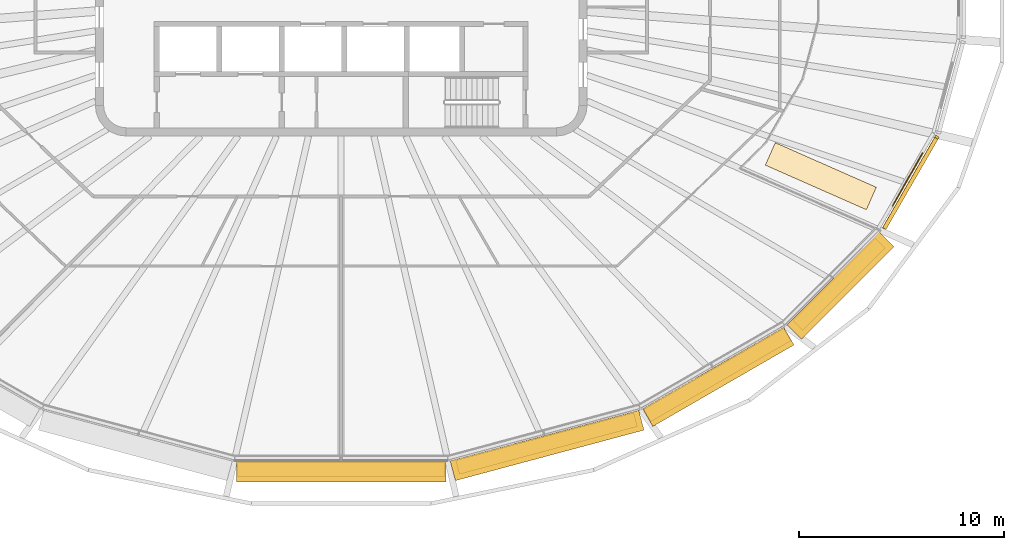
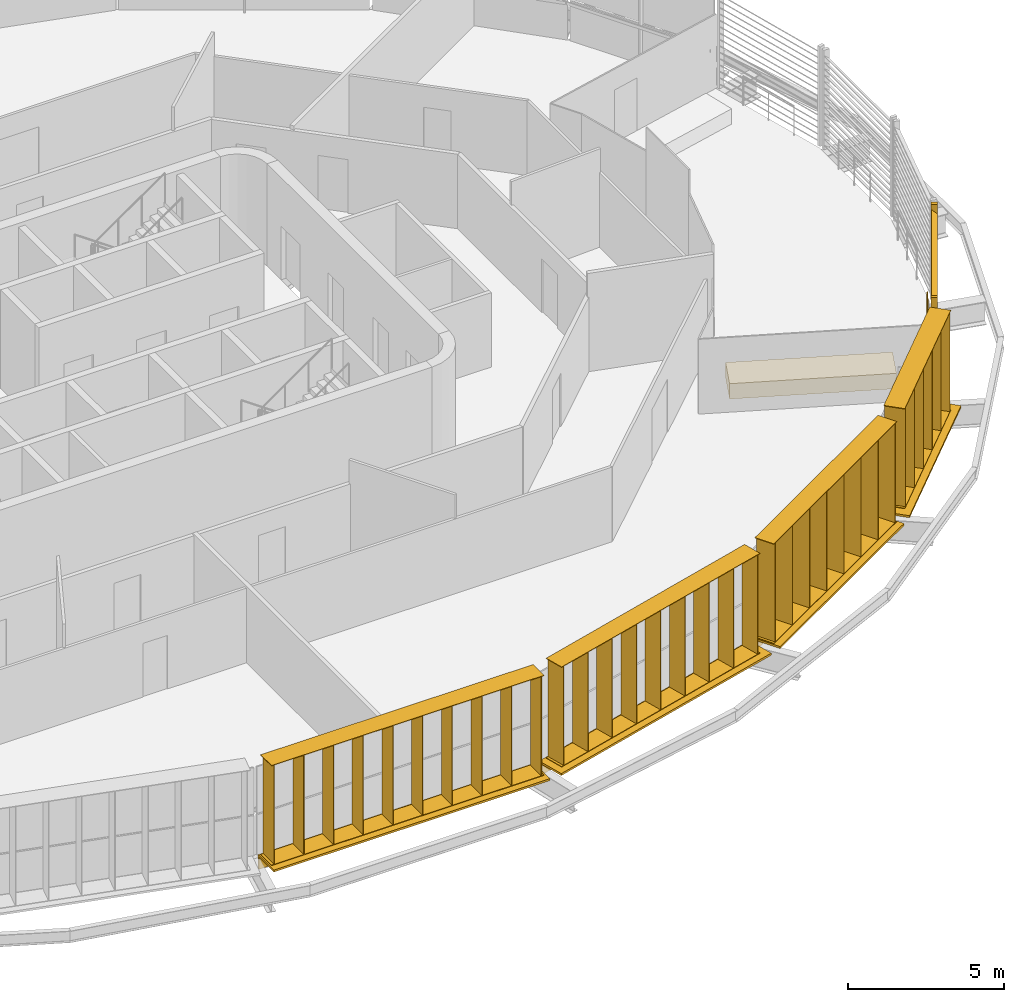
# One storey, part 18 of 21: 9 shading devices, 1 covering, 1 railing.
"""IFC4 building model written with IfcOpenShell, lengths in metres."""

from ifc_helpers import new_model, si_unit, direction, frame, origin, origin_2d, place, context, subcontext, project, spatial, rectangle, circle, extrude, material, type_object, element, save


model = new_model("IFC4")

# Units and contexts
model_context = context("Model", 3, precision=1e-05, world=origin(), true_north=direction((0.0, 1.0)))
body_context = subcontext(model_context, "Body", "Model", "MODEL_VIEW")
ifc_project = project(units=[si_unit("LENGTHUNIT", "METRE"), si_unit("AREAUNIT", "SQUARE_METRE"), si_unit("VOLUMEUNIT", "CUBIC_METRE"), si_unit("PLANEANGLEUNIT", "RADIAN"), si_unit("MASSUNIT", "GRAM", prefix="KILO")], contexts=[model_context])

# Site, building, storey
site_placement = place(None, origin())
site = spatial("IfcSite", under=ifc_project, at=site_placement, CompositionType="ELEMENT")
building_placement = place(site_placement, origin())
building = spatial("IfcBuilding", under=site, at=building_placement, Name="Sahrelin Media Tower", CompositionType="ELEMENT")
storey_placement = place(building_placement, frame((0.0, 0.0, 259.0)))
storey = spatial("IfcBuildingStorey", under=building, at=storey_placement, Name="L56", CompositionType="ELEMENT", Elevation=259.0)

# Shading devices
ifc_material_1 = material(Name="Champagne anodised aluminium 6063-T6", Category="aluminium")
shading_device_type_1 = type_object("IfcShadingDeviceType", Name="Fin cassette", PredefinedType="USERDEFINED", material=ifc_material_1)
placement_1 = place(storey_placement, frame((0.0, -22.857421875, 0.0), z_axis=(0.0, 0.0, 1.0), x_axis=(-1.0, 0.0, 0.0)))
element("IfcShadingDevice", 1, at=placement_1, inside=storey, type_object=shading_device_type_1, Name="L56:FIN:L56-18", ObjectType="FIN", PredefinedType="USERDEFINED", context=body_context, shape_type="SweptSolid", body=[
    extrude(rectangle(XDim=10.10009765625, YDim=0.699951171875, at=origin_2d()), frame((0.0, 0.419921875, 0.0)), (0.0, 0.0, 1.0), 0.02001953125),
    extrude(rectangle(XDim=10.10009765625, YDim=0.699951171875, at=origin_2d()), frame((0.0, 0.419921875, 3.89990234375)), (0.0, 0.0, 1.0), 0.02001953125),
    extrude(rectangle(XDim=0.02001953125, YDim=0.699951171875, at=origin_2d()), frame((-4.949951171875, 0.419921875, 0.010009765625), z_axis=(0.0, 0.0, 1.0), x_axis=(1.0, 0.0, 0.0)), (0.0, 0.0, 1.0), 3.89990234375),
    extrude(rectangle(XDim=0.02001953125, YDim=0.699951171875, at=origin_2d()), frame((-3.85009765625, 0.419921875, 0.010009765625), z_axis=(0.0, 0.0, 1.0), x_axis=(1.0, 0.0, 0.0)), (0.0, 0.0, 1.0), 3.89990234375),
    extrude(rectangle(XDim=0.02001953125, YDim=0.699951171875, at=origin_2d()), frame((-2.75, 0.419921875, 0.010009765625), z_axis=(0.0, 0.0, 1.0), x_axis=(1.0, 0.0, 0.0)), (0.0, 0.0, 1.0), 3.89990234375),
    extrude(rectangle(XDim=0.02001953125, YDim=0.699951171875, at=origin_2d()), frame((-1.64990234375, 0.419921875, 0.010009765625), z_axis=(0.0, 0.0, 1.0), x_axis=(1.0, 0.0, 0.0)), (0.0, 0.0, 1.0), 3.89990234375),
    extrude(rectangle(XDim=0.02001953125, YDim=0.699951171875, at=origin_2d()), frame((-0.550048828125, 0.419921875, 0.010009765625), z_axis=(0.0, 0.0, 1.0), x_axis=(1.0, 0.0, 0.0)), (0.0, 0.0, 1.0), 3.89990234375),
    extrude(rectangle(XDim=0.02001953125, YDim=0.699951171875, at=origin_2d()), frame((0.550048828125, 0.419921875, 0.010009765625), z_axis=(0.0, 0.0, 1.0), x_axis=(1.0, 0.0, 0.0)), (0.0, 0.0, 1.0), 3.89990234375),
    extrude(rectangle(XDim=0.02001953125, YDim=0.699951171875, at=origin_2d()), frame((1.64990234375, 0.419921875, 0.010009765625), z_axis=(0.0, 0.0, 1.0), x_axis=(1.0, 0.0, 0.0)), (0.0, 0.0, 1.0), 3.89990234375),
    extrude(rectangle(XDim=0.02001953125, YDim=0.699951171875, at=origin_2d()), frame((2.75, 0.419921875, 0.010009765625), z_axis=(0.0, 0.0, 1.0), x_axis=(1.0, 0.0, 0.0)), (0.0, 0.0, 1.0), 3.89990234375),
    extrude(rectangle(XDim=0.02001953125, YDim=0.699951171875, at=origin_2d()), frame((3.85009765625, 0.419921875, 0.010009765625), z_axis=(0.0, 0.0, 1.0), x_axis=(1.0, 0.0, 0.0)), (0.0, 0.0, 1.0), 3.89990234375),
    extrude(rectangle(XDim=0.02001953125, YDim=0.699951171875, at=origin_2d()), frame((4.949951171875, 0.419921875, 0.010009765625), z_axis=(0.0, 0.0, 1.0), x_axis=(1.0, 0.0, 0.0)), (0.0, 0.0, 1.0), 3.89990234375),
])
placement_2 = place(storey_placement, frame((9.912109375, -21.598388671875, 0.0), z_axis=(0.0, 0.0, 1.0), x_axis=(-0.965928857556, -0.258807731996, 0.0)))
element("IfcShadingDevice", 2, at=placement_2, inside=storey, type_object=shading_device_type_1, Name="L56:FIN:L56-19", ObjectType="FIN", PredefinedType="USERDEFINED", context=body_context, shape_type="SweptSolid", body=[
    extrude(rectangle(XDim=9.0, YDim=0.699951171875, at=origin_2d()), frame((0.0, 0.419921875, 0.0)), (0.0, 0.0, 1.0), 0.02001953125),
    extrude(rectangle(XDim=9.0, YDim=0.699951171875, at=origin_2d()), frame((0.0, 0.419921875, 3.89990234375)), (0.0, 0.0, 1.0), 0.02001953125),
    extrude(rectangle(XDim=0.02001953125, YDim=0.699951171875, at=origin_2d()), frame((-4.39990234375, 0.419921875, 0.010009765625), z_axis=(0.0, 0.0, 1.0), x_axis=(1.0, 0.0, 0.0)), (0.0, 0.0, 1.0), 3.89990234375),
    extrude(rectangle(XDim=0.02001953125, YDim=0.699951171875, at=origin_2d()), frame((-3.300048828125, 0.419921875, 0.010009765625), z_axis=(0.0, 0.0, 1.0), x_axis=(1.0, 0.0, 0.0)), (0.0, 0.0, 1.0), 3.89990234375),
    extrude(rectangle(XDim=0.02001953125, YDim=0.699951171875, at=origin_2d()), frame((-2.199951171875, 0.419921875, 0.010009765625), z_axis=(0.0, 0.0, 1.0), x_axis=(1.0, 0.0, 0.0)), (0.0, 0.0, 1.0), 3.89990234375),
    extrude(rectangle(XDim=0.02001953125, YDim=0.699951171875, at=origin_2d()), frame((-1.10009765625, 0.419921875, 0.010009765625), z_axis=(0.0, 0.0, 1.0), x_axis=(1.0, 0.0, 0.0)), (0.0, 0.0, 1.0), 3.89990234375),
    extrude(rectangle(XDim=0.02001953125, YDim=0.699951171875, at=origin_2d()), frame((0.0, 0.419921875, 0.010009765625), z_axis=(0.0, 0.0, 1.0), x_axis=(1.0, 0.0, 0.0)), (0.0, 0.0, 1.0), 3.89990234375),
    extrude(rectangle(XDim=0.02001953125, YDim=0.699951171875, at=origin_2d()), frame((1.10009765625, 0.419921875, 0.010009765625), z_axis=(0.0, 0.0, 1.0), x_axis=(1.0, 0.0, 0.0)), (0.0, 0.0, 1.0), 3.89990234375),
    extrude(rectangle(XDim=0.02001953125, YDim=0.699951171875, at=origin_2d()), frame((2.199951171875, 0.419921875, 0.010009765625), z_axis=(0.0, 0.0, 1.0), x_axis=(1.0, 0.0, 0.0)), (0.0, 0.0, 1.0), 3.89990234375),
    extrude(rectangle(XDim=0.02001953125, YDim=0.699951171875, at=origin_2d()), frame((3.300048828125, 0.419921875, 0.010009765625), z_axis=(0.0, 0.0, 1.0), x_axis=(1.0, 0.0, 0.0)), (0.0, 0.0, 1.0), 3.89990234375),
    extrude(rectangle(XDim=0.02001953125, YDim=0.699951171875, at=origin_2d()), frame((4.39990234375, 0.419921875, 0.010009765625), z_axis=(0.0, 0.0, 1.0), x_axis=(1.0, 0.0, 0.0)), (0.0, 0.0, 1.0), 3.89990234375),
])
placement_3 = place(storey_placement, frame((18.14208984375, -18.300537109375, 0.0), z_axis=(0.0, 0.0, 1.0), x_axis=(-0.866019052629, -0.500011000363, 0.0)))
element("IfcShadingDevice", 3, at=placement_3, inside=storey, type_object=shading_device_type_1, Name="L56:FIN:L56-20", ObjectType="FIN", PredefinedType="USERDEFINED", context=body_context, shape_type="SweptSolid", body=[
    extrude(rectangle(XDim=7.89990234375, YDim=0.699951171875, at=origin_2d()), frame((0.0, 0.419921875, 0.0)), (0.0, 0.0, 1.0), 0.02001953125),
    extrude(rectangle(XDim=7.89990234375, YDim=0.699951171875, at=origin_2d()), frame((0.0, 0.419921875, 3.89990234375)), (0.0, 0.0, 1.0), 0.02001953125),
    extrude(rectangle(XDim=0.02001953125, YDim=0.699951171875, at=origin_2d()), frame((-3.85009765625, 0.419921875, 0.010009765625), z_axis=(0.0, 0.0, 1.0), x_axis=(1.0, 0.0, 0.0)), (0.0, 0.0, 1.0), 3.89990234375),
    extrude(rectangle(XDim=0.02001953125, YDim=0.699951171875, at=origin_2d()), frame((-2.75, 0.419921875, 0.010009765625), z_axis=(0.0, 0.0, 1.0), x_axis=(1.0, 0.0, 0.0)), (0.0, 0.0, 1.0), 3.89990234375),
    extrude(rectangle(XDim=0.02001953125, YDim=0.699951171875, at=origin_2d()), frame((-1.64990234375, 0.419921875, 0.010009765625), z_axis=(0.0, 0.0, 1.0), x_axis=(1.0, 0.0, 0.0)), (0.0, 0.0, 1.0), 3.89990234375),
    extrude(rectangle(XDim=0.02001953125, YDim=0.699951171875, at=origin_2d()), frame((-0.550048828125, 0.419921875, 0.010009765625), z_axis=(0.0, 0.0, 1.0), x_axis=(1.0, 0.0, 0.0)), (0.0, 0.0, 1.0), 3.89990234375),
    extrude(rectangle(XDim=0.02001953125, YDim=0.699951171875, at=origin_2d()), frame((0.550048828125, 0.419921875, 0.010009765625), z_axis=(0.0, 0.0, 1.0), x_axis=(1.0, 0.0, 0.0)), (0.0, 0.0, 1.0), 3.89990234375),
    extrude(rectangle(XDim=0.02001953125, YDim=0.699951171875, at=origin_2d()), frame((1.64990234375, 0.419921875, 0.010009765625), z_axis=(0.0, 0.0, 1.0), x_axis=(1.0, 0.0, 0.0)), (0.0, 0.0, 1.0), 3.89990234375),
    extrude(rectangle(XDim=0.02001953125, YDim=0.699951171875, at=origin_2d()), frame((2.75, 0.419921875, 0.010009765625), z_axis=(0.0, 0.0, 1.0), x_axis=(1.0, 0.0, 0.0)), (0.0, 0.0, 1.0), 3.89990234375),
    extrude(rectangle(XDim=0.02001953125, YDim=0.699951171875, at=origin_2d()), frame((3.85009765625, 0.419921875, 0.010009765625), z_axis=(0.0, 0.0, 1.0), x_axis=(1.0, 0.0, 0.0)), (0.0, 0.0, 1.0), 3.89990234375),
])
placement_4 = place(storey_placement, frame((23.997314453125, -13.9375, 0.0), z_axis=(0.0, 0.0, 1.0), x_axis=(-0.707106781187, -0.707106781187, 0.0)))
element("IfcShadingDevice", 4, at=placement_4, inside=storey, type_object=shading_device_type_1, Name="L56:FIN:L56-21", ObjectType="FIN", PredefinedType="USERDEFINED", context=body_context, shape_type="SweptSolid", body=[
    extrude(rectangle(XDim=5.699951171875, YDim=0.699951171875, at=origin_2d()), frame((0.0, 0.419921875, 0.0)), (0.0, 0.0, 1.0), 0.02001953125),
    extrude(rectangle(XDim=5.699951171875, YDim=0.699951171875, at=origin_2d()), frame((0.0, 0.419921875, 3.89990234375)), (0.0, 0.0, 1.0), 0.02001953125),
    extrude(rectangle(XDim=0.02001953125, YDim=0.699951171875, at=origin_2d()), frame((-2.75, 0.419921875, 0.010009765625), z_axis=(0.0, 0.0, 1.0), x_axis=(1.0, 0.0, 0.0)), (0.0, 0.0, 1.0), 3.89990234375),
    extrude(rectangle(XDim=0.02001953125, YDim=0.699951171875, at=origin_2d()), frame((-1.64990234375, 0.419921875, 0.010009765625), z_axis=(0.0, 0.0, 1.0), x_axis=(1.0, 0.0, 0.0)), (0.0, 0.0, 1.0), 3.89990234375),
    extrude(rectangle(XDim=0.02001953125, YDim=0.699951171875, at=origin_2d()), frame((-0.550048828125, 0.419921875, 0.010009765625), z_axis=(0.0, 0.0, 1.0), x_axis=(1.0, 0.0, 0.0)), (0.0, 0.0, 1.0), 3.89990234375),
    extrude(rectangle(XDim=0.02001953125, YDim=0.699951171875, at=origin_2d()), frame((0.550048828125, 0.419921875, 0.010009765625), z_axis=(0.0, 0.0, 1.0), x_axis=(1.0, 0.0, 0.0)), (0.0, 0.0, 1.0), 3.89990234375),
    extrude(rectangle(XDim=0.02001953125, YDim=0.699951171875, at=origin_2d()), frame((1.64990234375, 0.419921875, 0.010009765625), z_axis=(0.0, 0.0, 1.0), x_axis=(1.0, 0.0, 0.0)), (0.0, 0.0, 1.0), 3.89990234375),
    extrude(rectangle(XDim=0.02001953125, YDim=0.699951171875, at=origin_2d()), frame((2.75, 0.419921875, 0.010009765625), z_axis=(0.0, 0.0, 1.0), x_axis=(1.0, 0.0, 0.0)), (0.0, 0.0, 1.0), 3.89990234375),
])
shading_device_type_2 = type_object("IfcShadingDeviceType", Name="Garden screen", PredefinedType="USERDEFINED", material=ifc_material_1)
shading_device_5_placement = place(storey_placement, frame((27.6796875, -9.261474609375, 0.0), z_axis=(0.0, 0.0, 1.0), x_axis=(-0.500011000363, -0.866019052629, 0.0)))
element("IfcShadingDevice", 5, at=shading_device_5_placement, inside=storey, type_object=shading_device_type_2, Name="L56:SCREEN:L56-22", ObjectType="SCREEN", PredefinedType="USERDEFINED", context=body_context, shape_type="SweptSolid", body=[
    extrude(rectangle(XDim=0.1201171875, YDim=0.199951171875, at=origin_2d()), frame((2.605712890625, 0.10009765625, 0.050048828125), z_axis=(0.0, 0.0, 1.0), x_axis=(1.0, 0.0, 0.0)), (0.0, 0.0, 1.0), 3.89990234375),
    extrude(rectangle(XDim=0.1201171875, YDim=0.199951171875, at=origin_2d()), frame((-2.605712890625, 0.10009765625, 0.050048828125), z_axis=(0.0, 0.0, 1.0), x_axis=(1.0, 0.0, 0.0)), (0.0, 0.0, 1.0), 3.89990234375),
    extrude(rectangle(XDim=0.25, YDim=0.02001953125, at=origin_2d()), frame((2.545654296875, 0.10009765625, 0.14990234375), z_axis=(-1.0, 0.0, 0.0), x_axis=(0.0, -0.766044443119, 0.642787609687)), (0.0, 0.0, 1.0), 5.09130859375),
    extrude(rectangle(XDim=0.25, YDim=0.02001953125, at=origin_2d()), frame((2.545654296875, 0.10009765625, 0.39990234375), z_axis=(-1.0, 0.0, 0.0), x_axis=(0.0, -0.766044443119, 0.642787609687)), (0.0, 0.0, 1.0), 5.09130859375),
    extrude(rectangle(XDim=0.25, YDim=0.02001953125, at=origin_2d()), frame((2.545654296875, 0.10009765625, 0.64990234375), z_axis=(-1.0, 0.0, 0.0), x_axis=(0.0, -0.766044443119, 0.642787609687)), (0.0, 0.0, 1.0), 5.09130859375),
    extrude(rectangle(XDim=0.25, YDim=0.02001953125, at=origin_2d()), frame((2.545654296875, 0.10009765625, 0.89990234375), z_axis=(-1.0, 0.0, 0.0), x_axis=(0.0, -0.766044443119, 0.642787609687)), (0.0, 0.0, 1.0), 5.09130859375),
    extrude(rectangle(XDim=0.25, YDim=0.02001953125, at=origin_2d()), frame((2.545654296875, 0.10009765625, 1.14990234375), z_axis=(-1.0, 0.0, 0.0), x_axis=(0.0, -0.766044443119, 0.642787609687)), (0.0, 0.0, 1.0), 5.09130859375),
    extrude(rectangle(XDim=0.25, YDim=0.02001953125, at=origin_2d()), frame((2.545654296875, 0.10009765625, 1.39990234375), z_axis=(-1.0, 0.0, 0.0), x_axis=(0.0, -0.766044443119, 0.642787609687)), (0.0, 0.0, 1.0), 5.09130859375),
    extrude(rectangle(XDim=0.25, YDim=0.02001953125, at=origin_2d()), frame((2.545654296875, 0.10009765625, 1.64990234375), z_axis=(-1.0, 0.0, 0.0), x_axis=(0.0, -0.766044443119, 0.642787609687)), (0.0, 0.0, 1.0), 5.09130859375),
    extrude(rectangle(XDim=0.25, YDim=0.02001953125, at=origin_2d()), frame((2.545654296875, 0.10009765625, 1.89990234375), z_axis=(-1.0, 0.0, 0.0), x_axis=(0.0, -0.766044443119, 0.642787609687)), (0.0, 0.0, 1.0), 5.09130859375),
    extrude(rectangle(XDim=0.25, YDim=0.02001953125, at=origin_2d()), frame((2.545654296875, 0.10009765625, 2.14990234375), z_axis=(-1.0, 0.0, 0.0), x_axis=(0.0, -0.766044443119, 0.642787609687)), (0.0, 0.0, 1.0), 5.09130859375),
    extrude(rectangle(XDim=0.25, YDim=0.02001953125, at=origin_2d()), frame((2.545654296875, 0.10009765625, 2.39990234375), z_axis=(-1.0, 0.0, 0.0), x_axis=(0.0, -0.766044443119, 0.642787609687)), (0.0, 0.0, 1.0), 5.09130859375),
    extrude(rectangle(XDim=0.25, YDim=0.02001953125, at=origin_2d()), frame((2.545654296875, 0.10009765625, 2.64990234375), z_axis=(-1.0, 0.0, 0.0), x_axis=(0.0, -0.766044443119, 0.642787609687)), (0.0, 0.0, 1.0), 5.09130859375),
    extrude(rectangle(XDim=0.25, YDim=0.02001953125, at=origin_2d()), frame((2.545654296875, 0.10009765625, 2.89990234375), z_axis=(-1.0, 0.0, 0.0), x_axis=(0.0, -0.766044443119, 0.642787609687)), (0.0, 0.0, 1.0), 5.09130859375),
    extrude(rectangle(XDim=0.25, YDim=0.02001953125, at=origin_2d()), frame((2.545654296875, 0.10009765625, 3.14990234375), z_axis=(-1.0, 0.0, 0.0), x_axis=(0.0, -0.766044443119, 0.642787609687)), (0.0, 0.0, 1.0), 5.09130859375),
    extrude(rectangle(XDim=0.25, YDim=0.02001953125, at=origin_2d()), frame((2.545654296875, 0.10009765625, 3.39990234375), z_axis=(-1.0, 0.0, 0.0), x_axis=(0.0, -0.766044443119, 0.642787609687)), (0.0, 0.0, 1.0), 5.09130859375),
    extrude(rectangle(XDim=0.25, YDim=0.02001953125, at=origin_2d()), frame((2.545654296875, 0.10009765625, 3.64990234375), z_axis=(-1.0, 0.0, 0.0), x_axis=(0.0, -0.766044443119, 0.642787609687)), (0.0, 0.0, 1.0), 5.09130859375),
])

# Railing
ifc_material_2 = material(Name="Stainless steel 316", Category="steel")
railing_type = type_object("IfcRailingType", Name="Sky garden guard", PredefinedType="GUARDRAIL", material=ifc_material_2)
railing_placement = place(storey_placement, frame((26.910888671875, -10.412353515625, 0.0)))
element("IfcRailing", 6, at=railing_placement, inside=storey, type_object=railing_type, Name="Sky garden guard G7-1", PredefinedType="GUARDRAIL", context=body_context, shape_type="SweptSolid", body=[
    extrude(circle(Radius=0.02392578125, at=origin_2d()), frame((0.0, 0.0, 1.17578125), z_axis=(0.490979042206, 0.871171383893, 0.0), x_axis=(-0.871171383893, 0.490979042206, 0.0)), (0.0, 0.0, 1.0), 2.970703125),
    extrude(circle(Radius=0.02099609375, at=origin_2d()), origin(), (0.0, 0.0, 1.0), 1.15185546875),
    extrude(circle(Radius=0.02099609375, at=origin_2d()), frame((0.486083984375, 0.862548828125, 0.0)), (0.0, 0.0, 1.0), 1.15185546875),
    extrude(circle(Radius=0.02099609375, at=origin_2d()), frame((0.972412109375, 1.725341796875, 0.0)), (0.0, 0.0, 1.0), 1.15185546875),
    extrude(circle(Radius=0.02099609375, at=origin_2d()), frame((1.45849609375, 2.587890625, 0.0)), (0.0, 0.0, 1.0), 1.15185546875),
])

# Covering
ifc_material_3 = material(Name="Planting and soil")
covering_type = type_object("IfcCoveringType", Name="Sky garden planter", PredefinedType="USERDEFINED", material=ifc_material_3)
covering_placement = place(storey_placement, frame((23.40478515625, -8.9599609375, 0.0400390625), z_axis=(0.0, 0.0, 1.0), x_axis=(-0.914907540582, 0.403663464021, 0.0)))
element("IfcCovering", 7, at=covering_placement, inside=storey, type_object=covering_type, Name="Sky garden planter G7-1", ObjectType="PLANTER", PredefinedType="USERDEFINED", context=body_context, shape_type="SweptSolid", body=[
    extrude(rectangle(XDim=5.389892578125, YDim=1.199951171875, at=origin_2d()), origin(), (0.0, 0.0, 1.0), 0.60009765625),
])

# Shading devices
shading_device_type_3 = type_object("IfcShadingDeviceType", Name="Sunshade band", PredefinedType="USERDEFINED", material=ifc_material_1)
element("IfcShadingDevice", 8, at=placement_1, inside=storey, type_object=shading_device_type_3, Name="L56:SUN:L56-18", ObjectType="SUNSHADE", PredefinedType="USERDEFINED", context=body_context, shape_type="SweptSolid", body=[
    extrude(rectangle(XDim=10.226318359375, YDim=0.050048828125, at=origin_2d()), frame((0.0, 0.044921875, -0.55126953125)), (0.0, 0.0, 1.0), 0.471435546875),
    extrude(rectangle(XDim=10.226318359375, YDim=1.0, at=origin_2d()), frame((0.0, 0.52001953125, -0.080078125)), (0.0, 0.0, 1.0), 0.080078125),
    extrude(rectangle(XDim=0.10009765625, YDim=0.074951171875, at=origin_2d()), frame((-5.01318359375, -0.017578125, -0.47021484375)), (0.0, 0.0, 1.0), 0.300048828125),
    extrude(rectangle(XDim=0.10009765625, YDim=0.074951171875, at=origin_2d()), frame((-3.342041015625, -0.017578125, -0.47021484375)), (0.0, 0.0, 1.0), 0.300048828125),
    extrude(rectangle(XDim=0.10009765625, YDim=0.074951171875, at=origin_2d()), frame((-1.671142578125, -0.017578125, -0.47021484375)), (0.0, 0.0, 1.0), 0.300048828125),
    extrude(rectangle(XDim=0.10009765625, YDim=0.074951171875, at=origin_2d()), frame((0.0, -0.017578125, -0.47021484375)), (0.0, 0.0, 1.0), 0.300048828125),
    extrude(rectangle(XDim=0.10009765625, YDim=0.074951171875, at=origin_2d()), frame((1.671142578125, -0.017578125, -0.47021484375)), (0.0, 0.0, 1.0), 0.300048828125),
    extrude(rectangle(XDim=0.10009765625, YDim=0.074951171875, at=origin_2d()), frame((3.342041015625, -0.017578125, -0.47021484375)), (0.0, 0.0, 1.0), 0.300048828125),
    extrude(rectangle(XDim=0.10009765625, YDim=0.074951171875, at=origin_2d()), frame((5.01318359375, -0.017578125, -0.47021484375)), (0.0, 0.0, 1.0), 0.300048828125),
])
element("IfcShadingDevice", 9, at=placement_2, inside=storey, type_object=shading_device_type_3, Name="L56:SUN:L56-19", ObjectType="SUNSHADE", PredefinedType="USERDEFINED", context=body_context, shape_type="SweptSolid", body=[
    extrude(rectangle(XDim=9.529296875, YDim=0.050048828125, at=origin_2d()), frame((0.0, 0.044921875, -0.55126953125)), (0.0, 0.0, 1.0), 0.471435546875),
    extrude(rectangle(XDim=9.529296875, YDim=1.0, at=origin_2d()), frame((0.0, 0.52001953125, -0.080078125)), (0.0, 0.0, 1.0), 0.080078125),
    extrude(rectangle(XDim=0.10009765625, YDim=0.074951171875, at=origin_2d()), frame((-4.664794921875, -0.017578125, -0.47021484375)), (0.0, 0.0, 1.0), 0.300048828125),
    extrude(rectangle(XDim=0.10009765625, YDim=0.074951171875, at=origin_2d()), frame((-2.798828125, -0.017578125, -0.47021484375)), (0.0, 0.0, 1.0), 0.300048828125),
    extrude(rectangle(XDim=0.10009765625, YDim=0.074951171875, at=origin_2d()), frame((-0.932861328125, -0.017578125, -0.47021484375)), (0.0, 0.0, 1.0), 0.300048828125),
    extrude(rectangle(XDim=0.10009765625, YDim=0.074951171875, at=origin_2d()), frame((0.932861328125, -0.017578125, -0.47021484375)), (0.0, 0.0, 1.0), 0.300048828125),
    extrude(rectangle(XDim=0.10009765625, YDim=0.074951171875, at=origin_2d()), frame((2.798828125, -0.017578125, -0.47021484375)), (0.0, 0.0, 1.0), 0.300048828125),
    extrude(rectangle(XDim=0.10009765625, YDim=0.074951171875, at=origin_2d()), frame((4.664794921875, -0.017578125, -0.47021484375)), (0.0, 0.0, 1.0), 0.300048828125),
])
element("IfcShadingDevice", 10, at=placement_3, inside=storey, type_object=shading_device_type_3, Name="L56:SUN:L56-20", ObjectType="SUNSHADE", PredefinedType="USERDEFINED", context=body_context, shape_type="SweptSolid", body=[
    extrude(rectangle(XDim=7.95458984375, YDim=0.050048828125, at=origin_2d()), frame((0.0, 0.044921875, -0.55126953125)), (0.0, 0.0, 1.0), 0.471435546875),
    extrude(rectangle(XDim=7.95458984375, YDim=1.0, at=origin_2d()), frame((0.0, 0.52001953125, -0.080078125)), (0.0, 0.0, 1.0), 0.080078125),
    extrude(rectangle(XDim=0.10009765625, YDim=0.074951171875, at=origin_2d()), frame((-3.877197265625, -0.017578125, -0.47021484375)), (0.0, 0.0, 1.0), 0.300048828125),
    extrude(rectangle(XDim=0.10009765625, YDim=0.074951171875, at=origin_2d()), frame((-1.938720703125, -0.017578125, -0.47021484375)), (0.0, 0.0, 1.0), 0.300048828125),
    extrude(rectangle(XDim=0.10009765625, YDim=0.074951171875, at=origin_2d()), frame((0.0, -0.017578125, -0.47021484375)), (0.0, 0.0, 1.0), 0.300048828125),
    extrude(rectangle(XDim=0.10009765625, YDim=0.074951171875, at=origin_2d()), frame((1.938720703125, -0.017578125, -0.47021484375)), (0.0, 0.0, 1.0), 0.300048828125),
    extrude(rectangle(XDim=0.10009765625, YDim=0.074951171875, at=origin_2d()), frame((3.877197265625, -0.017578125, -0.47021484375)), (0.0, 0.0, 1.0), 0.300048828125),
])
element("IfcShadingDevice", 11, at=placement_4, inside=storey, type_object=shading_device_type_3, Name="L56:SUN:L56-21", ObjectType="SUNSHADE", PredefinedType="USERDEFINED", context=body_context, shape_type="SweptSolid", body=[
    extrude(rectangle(XDim=6.3740234375, YDim=0.050048828125, at=origin_2d()), frame((0.0, 0.044921875, -0.55126953125)), (0.0, 0.0, 1.0), 0.471435546875),
    extrude(rectangle(XDim=6.3740234375, YDim=1.0, at=origin_2d()), frame((0.0, 0.52001953125, -0.080078125)), (0.0, 0.0, 1.0), 0.080078125),
    extrude(rectangle(XDim=0.10009765625, YDim=0.074951171875, at=origin_2d()), frame((-3.087158203125, -0.017578125, -0.47021484375)), (0.0, 0.0, 1.0), 0.300048828125),
    extrude(rectangle(XDim=0.10009765625, YDim=0.074951171875, at=origin_2d()), frame((-1.54345703125, -0.017578125, -0.47021484375)), (0.0, 0.0, 1.0), 0.300048828125),
    extrude(rectangle(XDim=0.10009765625, YDim=0.074951171875, at=origin_2d()), frame((0.0, -0.017578125, -0.47021484375)), (0.0, 0.0, 1.0), 0.300048828125),
    extrude(rectangle(XDim=0.10009765625, YDim=0.074951171875, at=origin_2d()), frame((1.54345703125, -0.017578125, -0.47021484375)), (0.0, 0.0, 1.0), 0.300048828125),
    extrude(rectangle(XDim=0.10009765625, YDim=0.074951171875, at=origin_2d()), frame((3.087158203125, -0.017578125, -0.47021484375)), (0.0, 0.0, 1.0), 0.300048828125),
])

save(model, "model.ifc")
